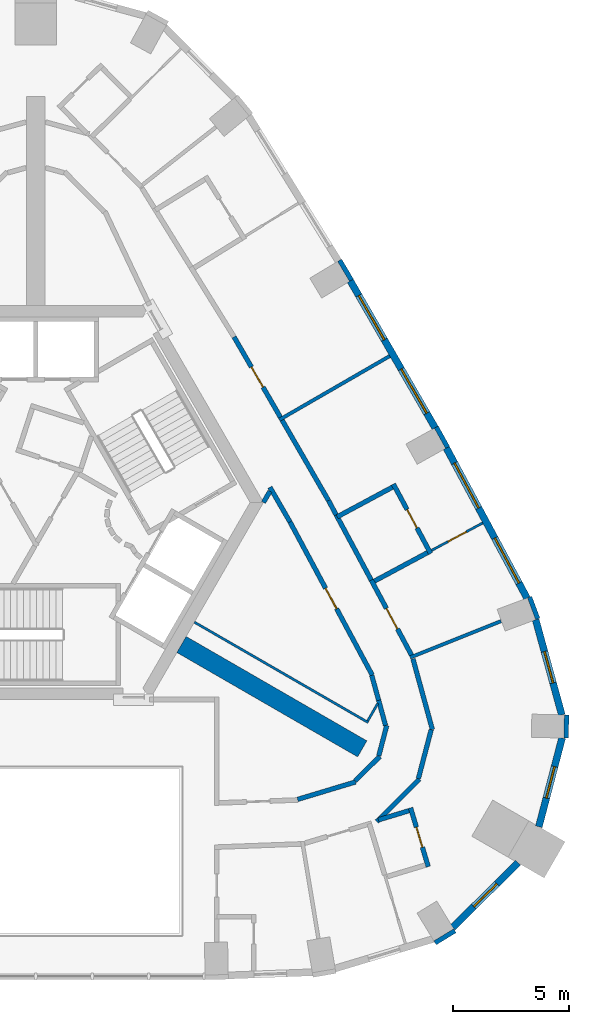
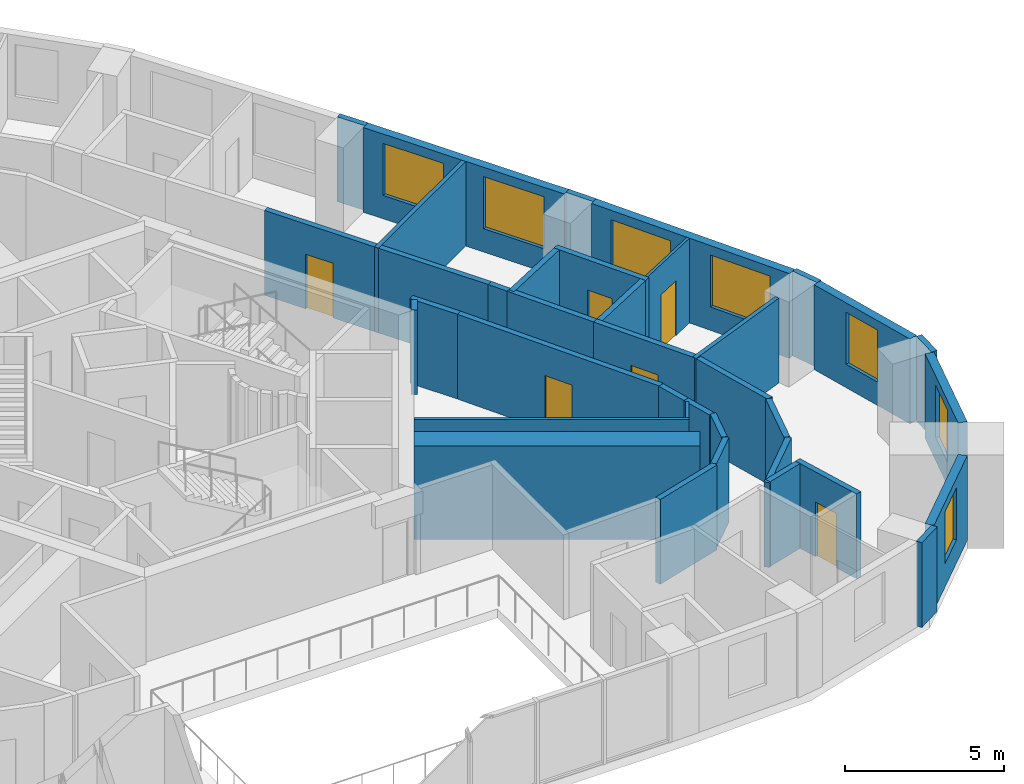
# One storey, part 7 of 10: 37 walls, 7 windows, 6 doors, 13 openings.
"""IFC4 building model written with IfcOpenShell, lengths in metres."""

from ifc_helpers import new_model, si_unit, direction, frame, frame_2d, origin, place, context, subcontext, project, spatial, rectangle, extrude, material, layer, layer_set, type_object, element, fill, save


model = new_model("IFC4")

# Units and contexts
model_context = context("Model", 3, precision=1e-05, world=origin(), true_north=direction((0.0, 1.0)))
body_context = subcontext(model_context, "Body", "Model", "MODEL_VIEW")
ifc_project = project(units=[si_unit("LENGTHUNIT", "METRE"), si_unit("AREAUNIT", "SQUARE_METRE"), si_unit("VOLUMEUNIT", "CUBIC_METRE"), si_unit("PLANEANGLEUNIT", "RADIAN"), si_unit("MASSUNIT", "GRAM", prefix="KILO")], contexts=[model_context])

# Site, building, storey
site_placement = place(None, origin())
site = spatial("IfcSite", under=ifc_project, at=site_placement, CompositionType="ELEMENT")
building_placement = place(site_placement, origin())
building = spatial("IfcBuilding", under=site, at=building_placement, Name="Entoto Arch Interchange Tower", CompositionType="ELEMENT")
storey_placement = place(building_placement, frame((0.0, 0.0, 300.800048828125)))
storey = spatial("IfcBuildingStorey", under=building, at=storey_placement, Name="L70", CompositionType="ELEMENT", Elevation=300.800048828125)

# Walls
ifc_material_1 = material(Name="Concrete C40/50", Category="concrete")
ifc_layer_1 = layer(ifc_material_1, 0.800048828125)
ifc_layer_set_1 = layer_set([ifc_layer_1], Name="Concrete C40/50")
wall_type_1 = type_object("IfcWallType", Name="Buttress wall 800 C40/50", PredefinedType="SHEAR", material=ifc_layer_set_1)
wall_1_placement = place(storey_placement, frame((6.279052734375, -3.625, -0.340087890625), z_axis=(0.0, 0.0, 1.0), x_axis=(0.866017533419, -0.500013631625, 0.0)))
element("IfcWall", 1, at=wall_1_placement, inside=storey, type_object=wall_type_1, Name="Buttress wall SE L70", PredefinedType="SHEAR", context=body_context, shape_type="SweptSolid", body=[
    extrude(rectangle(XDim=8.999755859375, YDim=0.800048828125, at=frame_2d((4.5, 0.0))), origin(), (0.0, 0.0, 1.0), 3.60009765625),
])
ifc_material_2 = material(Name="Gypsum board partition on steel studs", Category="steel")
ifc_layer_2 = layer(ifc_material_2, 0.10009765625)
ifc_layer_set_2 = layer_set([ifc_layer_2], Name="Gypsum board partition on steel studs")
wall_type_2 = type_object("IfcWallType", Name="PARTITION 100", PredefinedType="PARTITIONING", material=ifc_layer_set_2)
wall_2_placement = place(storey_placement, frame((6.8349609375, -2.662109375, 0.0), z_axis=(0.0, 0.0, 1.0), x_axis=(0.866023427642, -0.500003422764, 0.0)))
element("IfcWall", 2, at=wall_2_placement, inside=storey, type_object=wall_type_2, Name="wall:L70:p083", PredefinedType="PARTITIONING", context=body_context, shape_type="SweptSolid", body=[
    extrude(rectangle(XDim=8.64990234375, YDim=0.10009765625, at=frame_2d((4.324951171875, 0.0))), origin(), (0.0, 0.0, 1.0), 3.260009765625),
])
wall_3_placement = place(storey_placement, frame((14.306884765625, -6.9189453125, 0.0), z_axis=(0.0, 0.0, 1.0), x_axis=(0.500305662732, 0.865848857387, 0.0)))
element("IfcWall", 3, at=wall_3_placement, inside=storey, type_object=wall_type_2, Name="wall:L70:p084", PredefinedType="PARTITIONING", context=body_context, shape_type="SweptSolid", body=[
    extrude(rectangle(XDim=0.86962890625, YDim=0.10009765625, at=frame_2d((0.434814453125, 0.0))), origin(), (0.0, 0.0, 1.0), 3.260009765625),
])

# Wall, opening, door
wall_4_placement = place(storey_placement, frame((17.06298828125, 0.431884765625, 0.0), z_axis=(0.0, 0.0, 1.0), x_axis=(0.881003472222, 0.473109799024, 0.0)))
wall_4 = element("IfcWall", 4, at=wall_4_placement, inside=storey, type_object=wall_type_2, Name="wall:L70:p099", PredefinedType="PARTITIONING", context=body_context, shape_type="SweptSolid", body=[
    extrude(rectangle(XDim=2.500732421875, YDim=0.10009765625, at=frame_2d((1.25048828125, 0.0))), origin(), (0.0, 0.0, 1.0), 3.260009765625),
])
opening_1_placement = place(wall_4_placement, frame((0.800048828125, 0.0, 0.0)))
opening_1 = element("IfcOpeningElement", 5, at=opening_1_placement, cuts=wall_4, Name="Opening L70-D07", PredefinedType="OPENING", context=body_context, shape_type="SweptSolid", body=[
    extrude(rectangle(XDim=0.89990234375, YDim=2.10009765625, at=frame_2d((0.449951171875, 1.050048828125))), frame((0.0, 0.06005859375, 0.0), z_axis=(0.0, -1.0, 0.0), x_axis=(1.0, 0.0, 0.0)), (0.0, 0.0, 1.0), 0.1201171875),
])
ifc_material_3 = material(Name="Timber door leaf in Steel S235 frame", Category="steel")
door_type_1 = type_object("IfcDoorType", Name="DOOR DS-09 900x2100", OperationType="SINGLE_SWING_LEFT", PredefinedType="DOOR", material=ifc_material_3)
door_1_placement = place(opening_1_placement, origin())
door_1 = element("IfcDoor", 6, at=door_1_placement, inside=storey, type_object=door_type_1, Name="door:L70:07", OperationType="SINGLE_SWING_LEFT", OverallHeight=2.10009765625, OverallWidth=0.89990234375, PredefinedType="DOOR", context=body_context, shape_type="SweptSolid", body=[
    extrude(rectangle(XDim=0.89990234375, YDim=2.10009765625, at=frame_2d((0.449951171875, 1.050048828125))), frame((0.0, 0.02490234375, 0.0), z_axis=(0.0, -1.0, 0.0), x_axis=(1.0, 0.0, 0.0)), (0.0, 0.0, 1.0), 0.050048828125),
])
fill(opening_1, door_1)

# Walls
ifc_layer_3 = layer(ifc_material_2, 0.14990234375)
ifc_layer_set_3 = layer_set([ifc_layer_3], Name="Gypsum board partition on steel studs")
wall_type_3 = type_object("IfcWallType", Name="PARTITION 150", PredefinedType="PARTITIONING", material=ifc_layer_set_3)
wall_5_placement = place(storey_placement, frame((16.137939453125, -4.18505859375, 0.0), z_axis=(0.0, 0.0, 1.0), x_axis=(0.928432751736, 0.371500505388, 0.0)))
element("IfcWall", 7, at=wall_5_placement, inside=storey, type_object=wall_type_3, Name="wall:L70:p098", PredefinedType="PARTITIONING", context=body_context, shape_type="SweptSolid", body=[
    extrude(rectangle(XDim=4.2158203125, YDim=0.14990234375, at=frame_2d((2.10791015625, 0.0))), origin(), (0.0, 0.0, 1.0), 3.260009765625),
])
wall_6_placement = place(storey_placement, frame((10.493896484375, 6.05908203125, 0.0), z_axis=(0.0, 0.0, 1.0), x_axis=(0.866027397988, 0.499996545922, 0.0)))
element("IfcWall", 8, at=wall_6_placement, inside=storey, type_object=wall_type_3, Name="wall:L70:p103", PredefinedType="PARTITIONING", context=body_context, shape_type="SweptSolid", body=[
    extrude(rectangle(XDim=5.5, YDim=0.14990234375, at=frame_2d((2.75, 0.0))), origin(), (0.0, 0.0, 1.0), 3.260009765625),
])
ifc_layer_4 = layer(ifc_material_2, 0.199951171875)
ifc_layer_set_4 = layer_set([ifc_layer_4], Name="Gypsum board partition on steel studs")
wall_type_4 = type_object("IfcWallType", Name="PARTITION 200", PredefinedType="PARTITIONING", material=ifc_layer_set_4)
wall_7_placement = place(storey_placement, frame((11.285888671875, -10.302978515625, 0.0), z_axis=(0.0, 0.0, 1.0), x_axis=(0.957555754851, 0.288248115955, 0.0)))
element("IfcWall", 9, at=wall_7_placement, inside=storey, type_object=wall_type_4, Name="wall:L70:p013", PredefinedType="PARTITIONING", context=body_context, shape_type="SweptSolid", body=[
    extrude(rectangle(XDim=2.612060546875, YDim=0.199951171875, at=frame_2d((1.30615234375, 0.0))), origin(), (0.0, 0.0, 1.0), 3.260009765625),
])
wall_8_placement = place(storey_placement, frame((13.761962890625, -9.509033203125, 0.0), z_axis=(0.0, 0.0, 1.0), x_axis=(0.710749293824, 0.703445407497, 0.0)))
element("IfcWall", 10, at=wall_8_placement, inside=storey, type_object=wall_type_4, Name="wall:L70:p014", PredefinedType="PARTITIONING", context=body_context, shape_type="SweptSolid", body=[
    extrude(rectangle(XDim=1.504150390625, YDim=0.199951171875, at=frame_2d((0.751953125, 0.0))), origin(), (0.0, 0.0, 1.0), 3.260009765625),
])
wall_9_placement = place(storey_placement, frame((14.784912109375, -8.425048828125, 0.0), z_axis=(0.0, 0.0, 1.0), x_axis=(0.253295121261, 0.967389053869, 0.0)))
element("IfcWall", 11, at=wall_9_placement, inside=storey, type_object=wall_type_4, Name="wall:L70:p015", PredefinedType="PARTITIONING", context=body_context, shape_type="SweptSolid", body=[
    extrude(rectangle(XDim=1.354248046875, YDim=0.199951171875, at=frame_2d((0.67724609375, 0.0))), origin(), (0.0, 0.0, 1.0), 3.260009765625),
])
wall_10_placement = place(storey_placement, frame((15.075927734375, -7.114990234375, 0.0), z_axis=(0.0, 0.0, 1.0), x_axis=(-0.264368116744, 0.964421846937, 0.0)))
element("IfcWall", 12, at=wall_10_placement, inside=storey, type_object=wall_type_4, Name="wall:L70:p016", PredefinedType="PARTITIONING", context=body_context, shape_type="SweptSolid", body=[
    extrude(rectangle(XDim=1.123046875, YDim=0.199951171875, at=frame_2d((0.5615234375, 0.0))), origin(), (0.0, 0.0, 1.0), 3.260009765625),
])
wall_11_placement = place(storey_placement, frame((14.779052734375, -6.031982421875, 0.0), z_axis=(0.0, 0.0, 1.0), x_axis=(-0.265740072272, 0.964044715762, 0.0)))
element("IfcWall", 13, at=wall_11_placement, inside=storey, type_object=wall_type_4, Name="wall:L70:p017", PredefinedType="PARTITIONING", context=body_context, shape_type="SweptSolid", body=[
    extrude(rectangle(XDim=1.1181640625, YDim=0.199951171875, at=frame_2d((0.55908203125, 0.0))), origin(), (0.0, 0.0, 1.0), 3.260009765625),
])

# Wall, opening, door
wall_12_placement = place(storey_placement, frame((14.5029296875, -4.946044921875, 0.0), z_axis=(0.0, 0.0, 1.0), x_axis=(-0.473101362557, 0.881008002658, 0.0)))
wall_12 = element("IfcWall", 14, at=wall_12_placement, inside=storey, type_object=wall_type_4, Name="wall:L70:p018", PredefinedType="PARTITIONING", context=body_context, shape_type="SweptSolid", body=[
    extrude(rectangle(XDim=7.4970703125, YDim=0.199951171875, at=frame_2d((3.74853515625, 0.0))), origin(), (0.0, 0.0, 1.0), 3.260009765625),
])
opening_2_placement = place(wall_12_placement, frame((3.2490234375, 0.0, 0.0)))
opening_2 = element("IfcOpeningElement", 15, at=opening_2_placement, cuts=wall_12, Name="Opening L70-D26", PredefinedType="OPENING", context=body_context, shape_type="SweptSolid", body=[
    extrude(rectangle(XDim=1.0, YDim=2.10009765625, at=frame_2d((0.5, 1.050048828125))), frame((0.0, 0.10986328125, 0.0), z_axis=(0.0, -1.0, 0.0), x_axis=(1.0, 0.0, 0.0)), (0.0, 0.0, 1.0), 0.219970703125),
])
door_type_2 = type_object("IfcDoorType", Name="DOOR DS-10 1000x2100", OperationType="SINGLE_SWING_LEFT", PredefinedType="DOOR", material=ifc_material_3)
door_2_placement = place(opening_2_placement, origin())
door_2 = element("IfcDoor", 16, at=door_2_placement, inside=storey, type_object=door_type_2, Name="door:L70:26", OperationType="SINGLE_SWING_LEFT", OverallHeight=2.10009765625, OverallWidth=1.0, PredefinedType="DOOR", context=body_context, shape_type="SweptSolid", body=[
    extrude(rectangle(XDim=1.0, YDim=2.10009765625, at=frame_2d((0.5, 1.050048828125))), frame((0.0, 0.02490234375, 0.0), z_axis=(0.0, -1.0, 0.0), x_axis=(1.0, 0.0, 0.0)), (0.0, 0.0, 1.0), 0.050048828125),
])
fill(opening_2, door_2)

# Walls
wall_13_placement = place(storey_placement, frame((10.9560546875, 1.658935546875, 0.0), z_axis=(0.0, 0.0, 1.0), x_axis=(-0.49992648901, 0.866067841215, 0.0)))
element("IfcWall", 17, at=wall_13_placement, inside=storey, type_object=wall_type_4, Name="wall:L70:p019", PredefinedType="PARTITIONING", context=body_context, shape_type="SweptSolid", body=[
    extrude(rectangle(XDim=1.726318359375, YDim=0.199951171875, at=frame_2d((0.86328125, 0.0))), origin(), (0.0, 0.0, 1.0), 3.260009765625),
])
wall_14_placement = place(storey_placement, frame((10.092041015625, 2.98095703125, 0.0), z_axis=(0.0, 0.0, 1.0), x_axis=(-0.501296484717, -0.865275582927, 0.0)))
element("IfcWall", 18, at=wall_14_placement, inside=storey, type_object=wall_type_4, Name="wall:L70:p020", PredefinedType="PARTITIONING", context=body_context, shape_type="SweptSolid", body=[
    extrude(rectangle(XDim=0.5546875, YDim=0.199951171875, at=frame_2d((0.27734375, 0.0))), origin(), (0.0, 0.0, 1.0), 3.260009765625),
])
wall_15_placement = place(storey_placement, frame((16.258056640625, -4.243896484375, 0.0), z_axis=(0.0, 0.0, 1.0), x_axis=(0.264930673246, -0.964267462053, 0.0)))
element("IfcWall", 19, at=wall_15_placement, inside=storey, type_object=wall_type_4, Name="wall:L70:p033", PredefinedType="PARTITIONING", context=body_context, shape_type="SweptSolid", body=[
    extrude(rectangle(XDim=3.166259765625, YDim=0.199951171875, at=frame_2d((1.5830078125, 0.0))), origin(), (0.0, 0.0, 1.0), 3.260009765625),
])
wall_16_placement = place(storey_placement, frame((17.044921875, -7.297119140625, 0.0), z_axis=(0.0, 0.0, 1.0), x_axis=(-0.253618393349, -0.967304352598, 0.0)))
element("IfcWall", 20, at=wall_16_placement, inside=storey, type_object=wall_type_4, Name="wall:L70:p034", PredefinedType="PARTITIONING", context=body_context, shape_type="SweptSolid", body=[
    extrude(rectangle(XDim=2.184326171875, YDim=0.199951171875, at=frame_2d((1.09228515625, 0.0))), origin(), (0.0, 0.0, 1.0), 3.260009765625),
])
wall_17_placement = place(storey_placement, frame((16.537109375, -9.43603515625, 0.0), z_axis=(0.0, 0.0, 1.0), x_axis=(-0.710773151724, -0.703421301063, 0.0)))
element("IfcWall", 21, at=wall_17_placement, inside=storey, type_object=wall_type_4, Name="wall:L70:p035", PredefinedType="PARTITIONING", context=body_context, shape_type="SweptSolid", body=[
    extrude(rectangle(XDim=2.59033203125, YDim=0.199951171875, at=frame_2d((1.295166015625, 0.0))), origin(), (0.0, 0.0, 1.0), 3.260009765625),
])

# Wall, opening, door
wall_18_placement = place(storey_placement, frame((14.4609375, -0.85205078125, 0.0), z_axis=(0.0, 0.0, 1.0), x_axis=(0.473160180459, -0.88097641491, 0.0)))
wall_18 = element("IfcWall", 22, at=wall_18_placement, inside=storey, type_object=wall_type_4, Name="wall:L70:p036", PredefinedType="PARTITIONING", context=body_context, shape_type="SweptSolid", body=[
    extrude(rectangle(XDim=3.76611328125, YDim=0.199951171875, at=frame_2d((1.883056640625, 0.0))), origin(), (0.0, 0.0, 1.0), 3.260009765625),
])
opening_3_placement = place(wall_18_placement, frame((1.383056640625, 0.0, 0.0)))
opening_3 = element("IfcOpeningElement", 23, at=opening_3_placement, cuts=wall_18, Name="Opening L70-D06", PredefinedType="OPENING", context=body_context, shape_type="SweptSolid", body=[
    extrude(rectangle(XDim=1.0, YDim=2.10009765625, at=frame_2d((0.5, 1.050048828125))), frame((0.0, 0.10986328125, 0.0), z_axis=(0.0, -1.0, 0.0), x_axis=(1.0, 0.0, 0.0)), (0.0, 0.0, 1.0), 0.219970703125),
])
ifc_material_4 = material(Name="Fire-rated Steel S235 door and frame", Category="steel")
door_type_3 = type_object("IfcDoorType", Name="DOOR FD-10 1000x2100", OperationType="SINGLE_SWING_LEFT", PredefinedType="DOOR", material=ifc_material_4)
door_3_placement = place(opening_3_placement, origin())
door_3 = element("IfcDoor", 24, at=door_3_placement, inside=storey, type_object=door_type_3, Name="door:L70:06", OperationType="SINGLE_SWING_LEFT", OverallHeight=2.10009765625, OverallWidth=1.0, PredefinedType="DOOR", context=body_context, shape_type="SweptSolid", body=[
    extrude(rectangle(XDim=1.0, YDim=2.10009765625, at=frame_2d((0.5, 1.050048828125))), frame((0.0, 0.02490234375, 0.0), z_axis=(0.0, -1.0, 0.0), x_axis=(1.0, 0.0, 0.0)), (0.0, 0.0, 1.0), 0.050048828125),
])
fill(opening_3, door_3)

# Walls
wall_19_placement = place(storey_placement, frame((10.617919921875, 6.0439453125, 0.0), z_axis=(0.0, 0.0, 1.0), x_axis=(0.50008212199, -0.86597798544, 0.0)))
element("IfcWall", 25, at=wall_19_placement, inside=storey, type_object=wall_type_4, Name="wall:L70:p037", PredefinedType="PARTITIONING", context=body_context, shape_type="SweptSolid", body=[
    extrude(rectangle(XDim=3.995361328125, YDim=0.199951171875, at=frame_2d((1.99755859375, 0.0))), origin(), (0.0, 0.0, 1.0), 3.260009765625),
])
wall_20_placement = place(storey_placement, frame((12.615966796875, 2.583984375, 0.0), z_axis=(0.0, 0.0, 1.0), x_axis=(0.472830911699, -0.881153181315, 0.0)))
element("IfcWall", 26, at=wall_20_placement, inside=storey, type_object=wall_type_4, Name="wall:L70:p038", PredefinedType="PARTITIONING", context=body_context, shape_type="SweptSolid", body=[
    extrude(rectangle(XDim=0.7001953125, YDim=0.199951171875, at=frame_2d((0.35009765625, 0.0))), origin(), (0.0, 0.0, 1.0), 3.260009765625),
])
wall_21_placement = place(storey_placement, frame((12.947021484375, 1.967041015625, 0.0), z_axis=(0.0, 0.0, 1.0), x_axis=(0.473116768279, -0.88099972961, 0.0)))
element("IfcWall", 27, at=wall_21_placement, inside=storey, type_object=wall_type_4, Name="wall:L70:p039", PredefinedType="PARTITIONING", context=body_context, shape_type="SweptSolid", body=[
    extrude(rectangle(XDim=3.199951171875, YDim=0.199951171875, at=frame_2d((1.60009765625, 0.0))), origin(), (0.0, 0.0, 1.0), 3.260009765625),
])

# Wall, opening, door
wall_22_placement = place(storey_placement, frame((8.544921875, 9.634033203125, 0.0), z_axis=(0.0, 0.0, 1.0), x_axis=(0.50008212199, -0.86597798544, 0.0)))
wall_22 = element("IfcWall", 28, at=wall_22_placement, inside=storey, type_object=wall_type_4, Name="wall:L70:p041", PredefinedType="PARTITIONING", context=body_context, shape_type="SweptSolid", body=[
    extrude(rectangle(XDim=3.995361328125, YDim=0.199951171875, at=frame_2d((1.99755859375, 0.0))), origin(), (0.0, 0.0, 1.0), 3.260009765625),
])
opening_4_placement = place(wall_22_placement, frame((1.498046875, 0.0, 0.0)))
opening_4 = element("IfcOpeningElement", 29, at=opening_4_placement, cuts=wall_22, Name="Opening L70-D09", PredefinedType="OPENING", context=body_context, shape_type="SweptSolid", body=[
    extrude(rectangle(XDim=1.0, YDim=2.10009765625, at=frame_2d((0.5, 1.050048828125))), frame((0.0, 0.10986328125, 0.0), z_axis=(0.0, -1.0, 0.0), x_axis=(1.0, 0.0, 0.0)), (0.0, 0.0, 1.0), 0.219970703125),
])
door_4_placement = place(opening_4_placement, origin())
door_4 = element("IfcDoor", 30, at=door_4_placement, inside=storey, type_object=door_type_3, Name="door:L70:09", OperationType="SINGLE_SWING_LEFT", OverallHeight=2.10009765625, OverallWidth=1.0, PredefinedType="DOOR", context=body_context, shape_type="SweptSolid", body=[
    extrude(rectangle(XDim=1.0, YDim=2.10009765625, at=frame_2d((0.5, 1.050048828125))), frame((0.0, 0.02490234375, 0.0), z_axis=(0.0, -1.0, 0.0), x_axis=(1.0, 0.0, 0.0)), (0.0, 0.0, 1.0), 0.050048828125),
])
fill(opening_4, door_4)

wall_23_placement = place(storey_placement, frame((16.9169921875, -13.202880859375, 0.0), z_axis=(0.0, 0.0, 1.0), x_axis=(-0.287998855134, 0.957630753183, 0.0)))
wall_23 = element("IfcWall", 31, at=wall_23_placement, inside=storey, type_object=wall_type_4, Name="wall:L70:p096", PredefinedType="PARTITIONING", context=body_context, shape_type="SweptSolid", body=[
    extrude(rectangle(XDim=2.649169921875, YDim=0.199951171875, at=frame_2d((1.32470703125, 0.0))), origin(), (0.0, 0.0, 1.0), 3.260009765625),
])
opening_5_placement = place(wall_23_placement, frame((0.875, 0.0, 0.0)))
opening_5 = element("IfcOpeningElement", 32, at=opening_5_placement, cuts=wall_23, Name="Opening L70-D05", PredefinedType="OPENING", context=body_context, shape_type="SweptSolid", body=[
    extrude(rectangle(XDim=0.89990234375, YDim=2.10009765625, at=frame_2d((0.449951171875, 1.050048828125))), frame((0.0, 0.10986328125, 0.0), z_axis=(0.0, -1.0, 0.0), x_axis=(1.0, 0.0, 0.0)), (0.0, 0.0, 1.0), 0.219970703125),
])
door_5_placement = place(opening_5_placement, origin())
door_5 = element("IfcDoor", 33, at=door_5_placement, inside=storey, type_object=door_type_1, Name="door:L70:05", OperationType="SINGLE_SWING_LEFT", OverallHeight=2.10009765625, OverallWidth=0.89990234375, PredefinedType="DOOR", context=body_context, shape_type="SweptSolid", body=[
    extrude(rectangle(XDim=0.89990234375, YDim=2.10009765625, at=frame_2d((0.449951171875, 1.050048828125))), frame((0.0, 0.02490234375, 0.0), z_axis=(0.0, -1.0, 0.0), x_axis=(1.0, 0.0, 0.0)), (0.0, 0.0, 1.0), 0.050048828125),
])
fill(opening_5, door_5)

# Walls
wall_24_placement = place(storey_placement, frame((16.0869140625, -10.7900390625, 0.0), z_axis=(0.0, 0.0, 1.0), x_axis=(-0.957425655367, -0.288679951581, 0.0)))
element("IfcWall", 34, at=wall_24_placement, inside=storey, type_object=wall_type_4, Name="wall:L70:p097", PredefinedType="PARTITIONING", context=body_context, shape_type="SweptSolid", body=[
    extrude(rectangle(XDim=1.37841796875, YDim=0.199951171875, at=frame_2d((0.689208984375, 0.0))), origin(), (0.0, 0.0, 1.0), 3.260009765625),
])
wall_25_placement = place(storey_placement, frame((14.596923828125, -0.89306640625, 0.0), z_axis=(0.0, 0.0, 1.0), x_axis=(0.880971229432, 0.473169835168, 0.0)))
element("IfcWall", 35, at=wall_25_placement, inside=storey, type_object=wall_type_4, Name="wall:L70:p100", PredefinedType="PARTITIONING", context=body_context, shape_type="SweptSolid", body=[
    extrude(rectangle(XDim=2.599365234375, YDim=0.199951171875, at=frame_2d((1.2998046875, 0.0))), origin(), (0.0, 0.0, 1.0), 3.260009765625),
])

# Wall, opening, door
wall_26_placement = place(storey_placement, frame((17.02294921875, 0.297119140625, 0.0), z_axis=(0.0, 0.0, 1.0), x_axis=(-0.473247398557, 0.88092956572, 0.0)))
wall_26 = element("IfcWall", 36, at=wall_26_placement, inside=storey, type_object=wall_type_4, Name="wall:L70:p101", PredefinedType="PARTITIONING", context=body_context, shape_type="SweptSolid", body=[
    extrude(rectangle(XDim=3.399658203125, YDim=0.199951171875, at=frame_2d((1.69970703125, 0.0))), origin(), (0.0, 0.0, 1.0), 3.260009765625),
])
opening_6_placement = place(wall_26_placement, frame((1.25, 0.0, 0.0)))
opening_6 = element("IfcOpeningElement", 37, at=opening_6_placement, cuts=wall_26, Name="Opening L70-D08", PredefinedType="OPENING", context=body_context, shape_type="SweptSolid", body=[
    extrude(rectangle(XDim=0.89990234375, YDim=2.10009765625, at=frame_2d((0.449951171875, 1.050048828125))), frame((0.0, 0.10986328125, 0.0), z_axis=(0.0, -1.0, 0.0), x_axis=(1.0, 0.0, 0.0)), (0.0, 0.0, 1.0), 0.219970703125),
])
door_6_placement = place(opening_6_placement, origin())
door_6 = element("IfcDoor", 38, at=door_6_placement, inside=storey, type_object=door_type_1, Name="door:L70:08", OperationType="SINGLE_SWING_LEFT", OverallHeight=2.10009765625, OverallWidth=0.89990234375, PredefinedType="DOOR", context=body_context, shape_type="SweptSolid", body=[
    extrude(rectangle(XDim=0.89990234375, YDim=2.10009765625, at=frame_2d((0.449951171875, 1.050048828125))), frame((0.0, 0.02490234375, 0.0), z_axis=(0.0, -1.0, 0.0), x_axis=(1.0, 0.0, 0.0)), (0.0, 0.0, 1.0), 0.050048828125),
])
fill(opening_6, door_6)

# Wall
wall_27_placement = place(storey_placement, frame((15.373046875, 3.156982421875, 0.0), z_axis=(0.0, 0.0, 1.0), x_axis=(-0.880935111027, -0.473237076062, 0.0)))
element("IfcWall", 39, at=wall_27_placement, inside=storey, type_object=wall_type_4, Name="wall:L70:p102", PredefinedType="PARTITIONING", context=body_context, shape_type="SweptSolid", body=[
    extrude(rectangle(XDim=2.70068359375, YDim=0.199951171875, at=frame_2d((1.350341796875, 0.0))), origin(), (0.0, 0.0, 1.0), 3.260009765625),
])

# Wall, opening, window
ifc_material_5 = material(Name="Welded tuff (ignimbrite) cladding, warm buff", Category="masonry")
ifc_layer_5 = layer(ifc_material_5, 0.300048828125)
ifc_layer_set_5 = layer_set([ifc_layer_5], Name="Welded tuff (ignimbrite) cladding, warm buff")
wall_type_5 = type_object("IfcWallType", Name="STONE INFILL WALL 300", PredefinedType="STANDARD", material=ifc_layer_set_5)
wall_28_placement = place(storey_placement, frame((17.97607421875, -15.820068359375, 0.0), z_axis=(0.0, 0.0, 1.0), x_axis=(0.710893699296, 0.703299472701, 0.0)))
wall_28 = element("IfcWall", 40, at=wall_28_placement, inside=storey, type_object=wall_type_5, Name="Facade wall SE-02 L70", PredefinedType="STANDARD", context=body_context, shape_type="SweptSolid", body=[
    extrude(rectangle(XDim=3.954345703125, YDim=0.300048828125, at=frame_2d((1.97705078125, 0.0))), origin(), (0.0, 0.0, 1.0), 3.260009765625),
])
opening_7_placement = place(wall_28_placement, frame((1.277099609375, 0.0, 0.89990234375)))
opening_7 = element("IfcOpeningElement", 41, at=opening_7_placement, cuts=wall_28, Name="Opening WH-B", PredefinedType="OPENING", context=body_context, shape_type="SweptSolid", body=[
    extrude(rectangle(XDim=1.39990234375, YDim=2.0, at=frame_2d((0.699951171875, 1.0))), frame((0.0, 0.16015625, 0.0), z_axis=(0.0, -1.0, 0.0), x_axis=(1.0, 0.0, 0.0)), (0.0, 0.0, 1.0), 0.320068359375),
])
ifc_material_6 = material(Name="Clear glass, low-e double glazed", Category="glass")
window_type_1 = type_object("IfcWindowType", Name="WINDOW WH-B 1400x2000", PartitioningType="DOUBLE_PANEL_VERTICAL", PredefinedType="WINDOW", material=ifc_material_6)
window_1_placement = place(opening_7_placement, origin())
window_1 = element("IfcWindow", 42, at=window_1_placement, inside=storey, type_object=window_type_1, Name="Window WH-B SE-02 L70", OverallHeight=2.0, OverallWidth=1.39990234375, PartitioningType="SINGLE_PANEL", PredefinedType="WINDOW", context=body_context, shape_type="SweptSolid", body=[
    extrude(rectangle(XDim=1.39990234375, YDim=2.0, at=frame_2d((0.699951171875, 1.0))), frame((0.0, 0.030029296875, 0.0), z_axis=(0.0, -1.0, 0.0), x_axis=(1.0, 0.0, 0.0)), (0.0, 0.0, 1.0), 0.06005859375),
])
fill(opening_7, window_1)

wall_29_placement = place(storey_placement, frame((21.68603515625, -11.48193359375, 0.0), z_axis=(0.0, 0.0, 1.0), x_axis=(0.253402039956, 0.96736105263, 0.0)))
wall_29 = element("IfcWall", 43, at=wall_29_placement, inside=storey, type_object=wall_type_5, Name="Facade wall SE-03 L70", PredefinedType="STANDARD", context=body_context, shape_type="SweptSolid", body=[
    extrude(rectangle(XDim=3.9541015625, YDim=0.300048828125, at=frame_2d((1.97705078125, 0.0))), origin(), (0.0, 0.0, 1.0), 3.260009765625),
])
opening_8_placement = place(wall_29_placement, frame((1.277099609375, 0.0, 0.89990234375)))
opening_8 = element("IfcOpeningElement", 44, at=opening_8_placement, cuts=wall_29, Name="Opening WH-B", PredefinedType="OPENING", context=body_context, shape_type="SweptSolid", body=[
    extrude(rectangle(XDim=1.39990234375, YDim=2.0, at=frame_2d((0.699951171875, 1.0))), frame((0.0, 0.16015625, 0.0), z_axis=(0.0, -1.0, 0.0), x_axis=(1.0, 0.0, 0.0)), (0.0, 0.0, 1.0), 0.320068359375),
])
window_2_placement = place(opening_8_placement, origin())
window_2 = element("IfcWindow", 45, at=window_2_placement, inside=storey, type_object=window_type_1, Name="Window WH-B SE-03 L70", OverallHeight=2.0, OverallWidth=1.39990234375, PartitioningType="SINGLE_PANEL", PredefinedType="WINDOW", context=body_context, shape_type="SweptSolid", body=[
    extrude(rectangle(XDim=1.39990234375, YDim=2.0, at=frame_2d((0.699951171875, 1.0))), frame((0.0, 0.030029296875, 0.0), z_axis=(0.0, -1.0, 0.0), x_axis=(1.0, 0.0, 0.0)), (0.0, 0.0, 1.0), 0.06005859375),
])
fill(opening_8, window_2)

wall_30_placement = place(storey_placement, frame((22.677001953125, -6.658935546875, 0.0), z_axis=(0.0, 0.0, 1.0), x_axis=(-0.264892613927, 0.964277917971, 0.0)))
wall_30 = element("IfcWall", 46, at=wall_30_placement, inside=storey, type_object=wall_type_5, Name="Facade wall SE-04 L70", PredefinedType="STANDARD", context=body_context, shape_type="SweptSolid", body=[
    extrude(rectangle(XDim=4.258056640625, YDim=0.300048828125, at=frame_2d((2.12890625, 0.0))), origin(), (0.0, 0.0, 1.0), 3.260009765625),
])
opening_9_placement = place(wall_30_placement, frame((1.428955078125, 0.0, 0.89990234375)))
opening_9 = element("IfcOpeningElement", 47, at=opening_9_placement, cuts=wall_30, Name="Opening WH-B", PredefinedType="OPENING", context=body_context, shape_type="SweptSolid", body=[
    extrude(rectangle(XDim=1.39990234375, YDim=2.0, at=frame_2d((0.699951171875, 1.0))), frame((0.0, 0.16015625, 0.0), z_axis=(0.0, -1.0, 0.0), x_axis=(1.0, 0.0, 0.0)), (0.0, 0.0, 1.0), 0.320068359375),
])
window_3_placement = place(opening_9_placement, origin())
window_3 = element("IfcWindow", 48, at=window_3_placement, inside=storey, type_object=window_type_1, Name="Window WH-B SE-04 L70", OverallHeight=2.0, OverallWidth=1.39990234375, PartitioningType="SINGLE_PANEL", PredefinedType="WINDOW", context=body_context, shape_type="SweptSolid", body=[
    extrude(rectangle(XDim=1.39990234375, YDim=2.0, at=frame_2d((0.699951171875, 1.0))), frame((0.0, 0.030029296875, 0.0), z_axis=(0.0, -1.0, 0.0), x_axis=(1.0, 0.0, 0.0)), (0.0, 0.0, 1.0), 0.06005859375),
])
fill(opening_9, window_3)

# Wall, openings, windows
wall_31_placement = place(storey_placement, frame((21.177001953125, -1.6259765625, 0.0), z_axis=(0.0, 0.0, 1.0), x_axis=(-0.473225522632, 0.880941317415, 0.0)))
wall_31 = element("IfcWall", 49, at=wall_31_placement, inside=storey, type_object=wall_type_5, Name="Facade wall NE-01 L70", PredefinedType="STANDARD", context=body_context, shape_type="SweptSolid", body=[
    extrude(rectangle(XDim=7.345458984375, YDim=0.300048828125, at=frame_2d((3.6728515625, 0.0))), origin(), (0.0, 0.0, 1.0), 3.260009765625),
])
opening_10_placement = place(wall_31_placement, frame((0.736083984375, 0.0, 0.89990234375)))
opening_10 = element("IfcOpeningElement", 50, at=opening_10_placement, cuts=wall_31, Name="Opening WH-A", PredefinedType="OPENING", context=body_context, shape_type="SweptSolid", body=[
    extrude(rectangle(XDim=2.199951171875, YDim=2.0, at=frame_2d((1.10009765625, 1.0))), frame((0.0, 0.16015625, 0.0), z_axis=(0.0, -1.0, 0.0), x_axis=(1.0, 0.0, 0.0)), (0.0, 0.0, 1.0), 0.320068359375),
])
opening_11_placement = place(wall_31_placement, frame((4.408935546875, 0.0, 0.89990234375)))
opening_11 = element("IfcOpeningElement", 51, at=opening_11_placement, cuts=wall_31, Name="Opening WH-A", PredefinedType="OPENING", context=body_context, shape_type="SweptSolid", body=[
    extrude(rectangle(XDim=2.199951171875, YDim=2.0, at=frame_2d((1.10009765625, 1.0))), frame((0.0, 0.16015625, 0.0), z_axis=(0.0, -1.0, 0.0), x_axis=(1.0, 0.0, 0.0)), (0.0, 0.0, 1.0), 0.320068359375),
])
window_type_2 = type_object("IfcWindowType", Name="WINDOW WH-A 2200x2000", PartitioningType="DOUBLE_PANEL_VERTICAL", PredefinedType="WINDOW", material=ifc_material_6)
window_4_placement = place(opening_10_placement, origin())
window_4 = element("IfcWindow", 52, at=window_4_placement, inside=storey, type_object=window_type_2, Name="Window WH-A NE-01 L70", OverallHeight=2.0, OverallWidth=2.199951171875, PartitioningType="SINGLE_PANEL", PredefinedType="WINDOW", context=body_context, shape_type="SweptSolid", body=[
    extrude(rectangle(XDim=2.199951171875, YDim=2.0, at=frame_2d((1.10009765625, 1.0))), frame((0.0, 0.030029296875, 0.0), z_axis=(0.0, -1.0, 0.0), x_axis=(1.0, 0.0, 0.0)), (0.0, 0.0, 1.0), 0.06005859375),
])
fill(opening_10, window_4)
window_5_placement = place(opening_11_placement, origin())
window_5 = element("IfcWindow", 53, at=window_5_placement, inside=storey, type_object=window_type_2, Name="Window WH-A NE-01 L70", OverallHeight=2.0, OverallWidth=2.199951171875, PartitioningType="SINGLE_PANEL", PredefinedType="WINDOW", context=body_context, shape_type="SweptSolid", body=[
    extrude(rectangle(XDim=2.199951171875, YDim=2.0, at=frame_2d((1.10009765625, 1.0))), frame((0.0, 0.030029296875, 0.0), z_axis=(0.0, -1.0, 0.0), x_axis=(1.0, 0.0, 0.0)), (0.0, 0.0, 1.0), 0.06005859375),
])
fill(opening_11, window_5)

wall_32_placement = place(storey_placement, frame((17.215087890625, 5.717041015625, 0.0), z_axis=(0.0, 0.0, 1.0), x_axis=(-0.499905472729, 0.866079972252, 0.0)))
wall_32 = element("IfcWall", 54, at=wall_32_placement, inside=storey, type_object=wall_type_5, Name="Facade wall NE-02 L70", PredefinedType="STANDARD", context=body_context, shape_type="SweptSolid", body=[
    extrude(rectangle(XDim=7.3134765625, YDim=0.300048828125, at=frame_2d((3.65673828125, 0.0))), origin(), (0.0, 0.0, 1.0), 3.260009765625),
])
opening_12_placement = place(wall_32_placement, frame((0.72802734375, 0.0, 0.89990234375)))
opening_12 = element("IfcOpeningElement", 55, at=opening_12_placement, cuts=wall_32, Name="Opening WH-A", PredefinedType="OPENING", context=body_context, shape_type="SweptSolid", body=[
    extrude(rectangle(XDim=2.199951171875, YDim=2.0, at=frame_2d((1.10009765625, 1.0))), frame((0.0, 0.16015625, 0.0), z_axis=(0.0, -1.0, 0.0), x_axis=(1.0, 0.0, 0.0)), (0.0, 0.0, 1.0), 0.320068359375),
])
opening_13_placement = place(wall_32_placement, frame((4.385009765625, 0.0, 0.89990234375)))
opening_13 = element("IfcOpeningElement", 56, at=opening_13_placement, cuts=wall_32, Name="Opening WH-A", PredefinedType="OPENING", context=body_context, shape_type="SweptSolid", body=[
    extrude(rectangle(XDim=2.199951171875, YDim=2.0, at=frame_2d((1.10009765625, 1.0))), frame((0.0, 0.16015625, 0.0), z_axis=(0.0, -1.0, 0.0), x_axis=(1.0, 0.0, 0.0)), (0.0, 0.0, 1.0), 0.320068359375),
])
window_6_placement = place(opening_12_placement, origin())
window_6 = element("IfcWindow", 57, at=window_6_placement, inside=storey, type_object=window_type_2, Name="Window WH-A NE-02 L70", OverallHeight=2.0, OverallWidth=2.199951171875, PartitioningType="SINGLE_PANEL", PredefinedType="WINDOW", context=body_context, shape_type="SweptSolid", body=[
    extrude(rectangle(XDim=2.199951171875, YDim=2.0, at=frame_2d((1.10009765625, 1.0))), frame((0.0, 0.030029296875, 0.0), z_axis=(0.0, -1.0, 0.0), x_axis=(1.0, 0.0, 0.0)), (0.0, 0.0, 1.0), 0.06005859375),
])
fill(opening_12, window_6)
window_7_placement = place(opening_13_placement, origin())
window_7 = element("IfcWindow", 58, at=window_7_placement, inside=storey, type_object=window_type_2, Name="Window WH-A NE-02 L70", OverallHeight=2.0, OverallWidth=2.199951171875, PartitioningType="SINGLE_PANEL", PredefinedType="WINDOW", context=body_context, shape_type="SweptSolid", body=[
    extrude(rectangle(XDim=2.199951171875, YDim=2.0, at=frame_2d((1.10009765625, 1.0))), frame((0.0, 0.030029296875, 0.0), z_axis=(0.0, -1.0, 0.0), x_axis=(1.0, 0.0, 0.0)), (0.0, 0.0, 1.0), 0.06005859375),
])
fill(opening_13, window_7)

# Walls
ifc_layer_6 = layer(ifc_material_5, 0.199951171875)
ifc_layer_set_6 = layer_set([ifc_layer_6], Name="Welded tuff (ignimbrite) cladding, warm buff")
wall_type_6 = type_object("IfcWallType", Name="STONE PIER CLADDING 200", PredefinedType="STANDARD", material=ifc_layer_set_6)
wall_33_placement = place(storey_placement, frame((21.638916015625, -2.52001953125, 0.0), z_axis=(0.0, 0.0, 1.0), x_axis=(-0.350962844851, 0.936389385637, 0.0)))
element("IfcWall", 59, at=wall_33_placement, inside=storey, type_object=wall_type_6, Name="Stone pier NE01 L70", PredefinedType="STANDARD", context=body_context, shape_type="SweptSolid", body=[
    extrude(rectangle(XDim=0.99951171875, YDim=0.199951171875, at=frame_2d((0.499755859375, 0.0))), origin(), (0.0, 0.0, 1.0), 3.260009765625),
])
for number, where, z_axis, x_axis, name in (
    (60, (17.751953125, 4.8720703125, 0.0), (0.0, 0.0, 1.0), (-0.485850211157, 0.874042088414, 0.0), "Stone pier NE02 L70"),
    (61, (13.60888671875, 12.080078125, 0.0), (0.0, 0.0, 1.0), (-0.513885310016, 0.857858897576, 0.0), "Stone pier NE03 L70"),
):
    element("IfcWall", number, at=place(storey_placement, frame(where, z_axis=z_axis, x_axis=x_axis)), inside=storey, type_object=wall_type_6, Name=name, PredefinedType="STANDARD", context=body_context, shape_type="SweptSolid", body=[
        extrude(rectangle(XDim=1.0, YDim=0.199951171875, at=frame_2d((0.5, 0.0))), origin(), (0.0, 0.0, 1.0), 3.260009765625),
    ])
wall_34_placement = place(storey_placement, frame((17.212890625, -16.487060546875, 0.0), z_axis=(0.0, 0.0, 1.0), x_axis=(0.853679739553, 0.520798331677, 0.0)))
element("IfcWall", 62, at=wall_34_placement, inside=storey, type_object=wall_type_6, Name="Stone pier SE1 L70", PredefinedType="STANDARD", context=body_context, shape_type="SweptSolid", body=[
    extrude(rectangle(XDim=1.00048828125, YDim=0.199951171875, at=frame_2d((0.500244140625, 0.0))), origin(), (0.0, 0.0, 1.0), 3.260009765625),
])
wall_35_placement = place(storey_placement, frame((22.860107421875, -7.662109375, 0.0), z_axis=(0.0, 0.0, 1.0), x_axis=(0.023942303888, 0.999713341956, 0.0)))
element("IfcWall", 63, at=wall_35_placement, inside=storey, type_object=wall_type_6, Name="Stone pier SE3 L70", PredefinedType="STANDARD", context=body_context, shape_type="SweptSolid", body=[
    extrude(rectangle(XDim=0.999267578125, YDim=0.199951171875, at=frame_2d((0.49951171875, 0.0))), origin(), (0.0, 0.0, 1.0), 3.260009765625),
])

save(model, "model.ifc")
